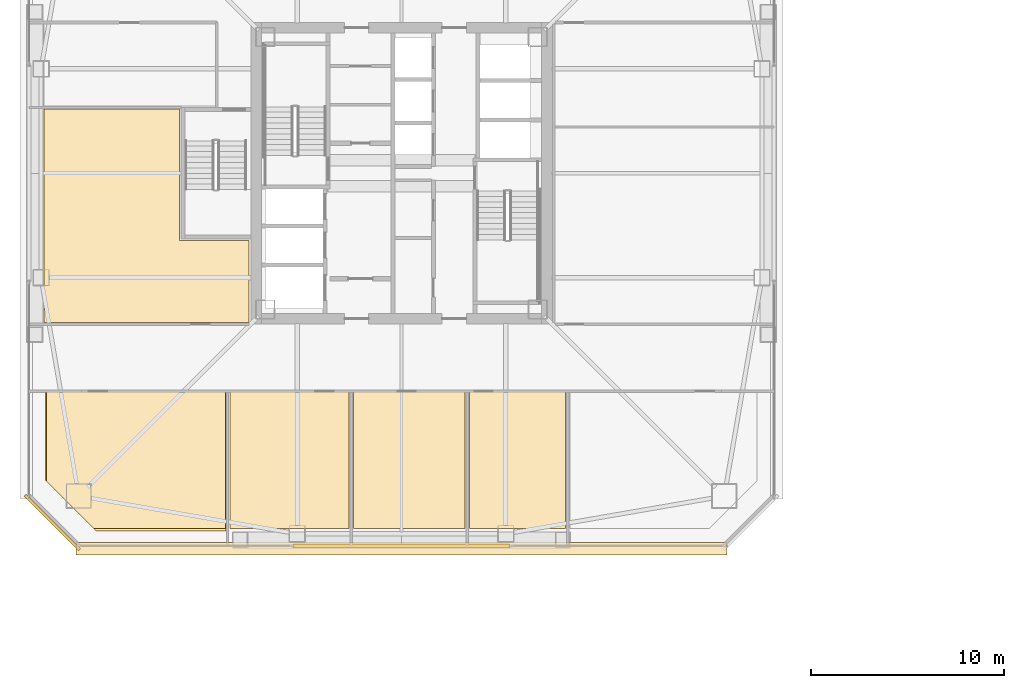
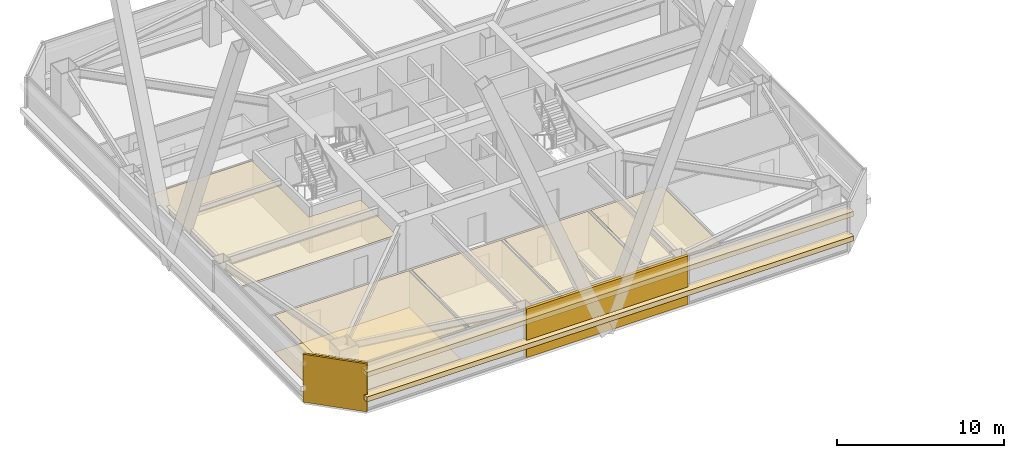
# One storey, part 45 of 50: 10 coverings.
"""IFC4 building model written with IfcOpenShell, lengths in metres."""

from ifc_helpers import new_model, si_unit, direction, frame, origin, origin_2d, place, context, subcontext, project, spatial, polyline, rectangle, outline, extrude, material, layer, layer_set, type_object, element, save


model = new_model("IFC4")

# Units and contexts
model_context = context("Model", 3, precision=1e-05, world=origin(), true_north=direction((0.0, 1.0)))
body_context = subcontext(model_context, "Body", "Model", "MODEL_VIEW")
ifc_project = project(units=[si_unit("LENGTHUNIT", "METRE"), si_unit("AREAUNIT", "SQUARE_METRE"), si_unit("VOLUMEUNIT", "CUBIC_METRE"), si_unit("PLANEANGLEUNIT", "RADIAN"), si_unit("MASSUNIT", "GRAM", prefix="KILO")], contexts=[model_context])

# Site, building, storey
site_placement = place(None, origin())
site = spatial("IfcSite", under=ifc_project, at=site_placement, CompositionType="ELEMENT")
building_placement = place(site_placement, origin())
building = spatial("IfcBuilding", under=site, at=building_placement, Name="Tashvorn Skyway Center", CompositionType="ELEMENT")
storey_placement = place(building_placement, frame((0.0, 0.0, 114.39990234375)))
storey = spatial("IfcBuildingStorey", under=building, at=storey_placement, Name="L30", CompositionType="ELEMENT", Elevation=114.39990234375)

# Coverings
ifc_material_1 = material(Name="Precast concrete C40/50", Category="concrete")
ifc_layer_1 = layer(ifc_material_1, 0.199951171875)
ifc_layer_set_1 = layer_set([ifc_layer_1], Name="Precast concrete C40/50")
covering_type_1 = type_object("IfcCoveringType", Name="COV-BRACE-CLAD", PredefinedType="CLADDING", material=ifc_layer_set_1)
covering_1_placement = place(storey_placement, frame((42.0, 12.719970703125, 0.0), z_axis=(0.0, 0.0, 1.0), x_axis=(-1.0, 0.0, 0.0)))
element("IfcCovering", 1, at=covering_1_placement, inside=storey, type_object=covering_type_1, Name="Tower 1 L30 South Unitised Curtain Wall Mega-Brace Cladding Band 1", PredefinedType="CLADDING", context=body_context, shape_type="SweptSolid", body=[
    extrude(rectangle(XDim=11.1865234375, YDim=0.199951171875, at=origin_2d()), origin(), (0.0, 0.0, 1.0), 3.550048828125),
])
ifc_material_2 = material(Name="Mineral-fibre acoustic ceiling tile on suspended grid")
ifc_layer_2 = layer(ifc_material_2, 0.02001953125)
ifc_layer_set_2 = layer_set([ifc_layer_2], Name="Mineral-fibre acoustic ceiling tile on suspended grid")
covering_type_2 = type_object("IfcCoveringType", Name="COV-CEIL-20", PredefinedType="CEILING", material=ifc_layer_set_2)
covering_2_placement = place(storey_placement, frame((0.0, 0.0, 2.703125)))
element("IfcCovering", 2, at=covering_2_placement, inside=storey, type_object=covering_type_2, Name="Tower 1 L30 Executive Study Lounge Acoustic Ceiling", PredefinedType="CEILING", context=body_context, shape_type="SweptSolid", body=[
    extrude(outline(polyline([(23.6201171875, 20.68994140625), (32.8798828125, 20.68994140625), (32.8798828125, 13.6201171875), (26.080078125, 13.6201171875), (23.6201171875, 16.080078125), (23.6201171875, 20.68994140625)])), origin(), (0.0, 0.0, 1.0), 0.02001953125),
])
covering_3_placement = place(storey_placement, frame((0.0, 0.0, 2.703125)))
element("IfcCovering", 3, at=covering_3_placement, inside=storey, type_object=covering_type_2, Name="Tower 1 L30 Design Studio Acoustic Ceiling", PredefinedType="CEILING", context=body_context, shape_type="SweptSolid", body=[
    extrude(outline(polyline([(33.1201171875, 20.68994140625), (39.280029296875, 20.68994140625), (39.280029296875, 13.6201171875), (33.1201171875, 13.6201171875), (33.1201171875, 20.68994140625)])), origin(), (0.0, 0.0, 1.0), 0.02001953125),
])
covering_4_placement = place(storey_placement, frame((0.0, 0.0, 2.703125)))
element("IfcCovering", 4, at=covering_4_placement, inside=storey, type_object=covering_type_2, Name="Tower 1 L30 Design Studio Acoustic Ceiling", PredefinedType="CEILING", context=body_context, shape_type="SweptSolid", body=[
    extrude(outline(polyline([(39.52001953125, 20.68994140625), (45.280029296875, 20.68994140625), (45.280029296875, 13.6201171875), (39.52001953125, 13.6201171875), (39.52001953125, 20.68994140625)])), origin(), (0.0, 0.0, 1.0), 0.02001953125),
])
covering_5_placement = place(storey_placement, frame((0.0, 0.0, 2.703125)))
element("IfcCovering", 5, at=covering_5_placement, inside=storey, type_object=covering_type_2, Name="Tower 1 L30 Reading Lounge Acoustic Ceiling", PredefinedType="CEILING", context=body_context, shape_type="SweptSolid", body=[
    extrude(outline(polyline([(45.52001953125, 20.68994140625), (50.47998046875, 20.68994140625), (50.47998046875, 13.6201171875), (45.52001953125, 13.6201171875), (45.52001953125, 20.68994140625)])), origin(), (0.0, 0.0, 1.0), 0.02001953125),
])
covering_6_placement = place(storey_placement, frame((0.0, 0.0, 2.703125)))
element("IfcCovering", 6, at=covering_6_placement, inside=storey, type_object=covering_type_2, Name="Tower 1 L30 Public Restroom Acoustic Ceiling", PredefinedType="CEILING", context=body_context, shape_type="SweptSolid", body=[
    extrude(outline(polyline([(34.1201171875, 24.280029296875), (23.5, 24.280029296875), (23.5, 28.52001953125), (23.5, 35.320068359375), (30.52001953125, 35.320068359375), (30.52001953125, 28.52001953125), (34.1201171875, 28.52001953125), (34.1201171875, 24.280029296875)])), origin(), (0.0, 0.0, 1.0), 0.02001953125),
])
ifc_material_3 = material(Name="Polished Mojave desert-aggregate terrazzo and cover plate")
ifc_layer_3 = layer(ifc_material_3, 0.0400390625)
ifc_layer_set_3 = layer_set([ifc_layer_3], Name="Polished Mojave desert-aggregate terrazzo and cover plate")
covering_type_3 = type_object("IfcCoveringType", Name="COV-FLR-40", PredefinedType="FLOORING", material=ifc_layer_set_3)
covering_7_placement = place(storey_placement, origin())
element("IfcCovering", 7, at=covering_7_placement, inside=storey, type_object=covering_type_3, Name="Tower 1 L30 Executive Study Lounge Finish Flooring", PredefinedType="FLOORING", context=body_context, shape_type="SweptSolid", body=[
    extrude(outline(polyline([(26.199951171875, 13.5), (23.580078125, 16.1201171875), (23.580078125, 20.64990234375), (32.919921875, 20.64990234375), (32.919921875, 13.5), (26.199951171875, 13.5)])), origin(), (0.0, 0.0, 1.0), 0.0400390625),
])
ifc_material_4 = material(Name="Perforated ceramic-coated bronze aluminium solar screen", Category="aluminium")
ifc_layer_4 = layer(ifc_material_4, 0.85009765625)
ifc_layer_set_4 = layer_set([ifc_layer_4], Name="Perforated ceramic-coated bronze aluminium solar screen")
covering_type_4 = type_object("IfcCoveringType", Name="COV-SOLAR-BAND", PredefinedType="CLADDING", material=ifc_layer_set_4)
for number, where, z_axis, x_axis, name in (
    (8, (42.0, 12.580078125, 0.919921875), (0.0, 0.0, 1.0), (-1.0, 0.0, 0.0), "L30 Perforated Ceramic-Metal Solar Screen Louvre Band South 1"),
    (9, (42.0, 12.580078125, 2.72021484375), (0.0, 0.0, 1.0), (-1.0, 0.0, 0.0), "L30 Perforated Ceramic-Metal Solar Screen Louvre Band South 2"),
):
    element("IfcCovering", number, at=place(storey_placement, frame(where, z_axis=z_axis, x_axis=x_axis)), inside=storey, type_object=covering_type_4, Name=name, PredefinedType="CLADDING", context=body_context, shape_type="SweptSolid", body=[
        extrude(rectangle(XDim=33.679931640625, YDim=0.639892578125, at=origin_2d()), origin(), (0.0, 0.0, 1.0), 0.360107421875),
    ])
ifc_layer_5 = layer(ifc_material_1, 0.35009765625)
ifc_layer_set_5 = layer_set([ifc_layer_5], Name="Precast concrete C40/50")
covering_type_5 = type_object("IfcCoveringType", Name="COV-STONE-TRIM", PredefinedType="CLADDING", material=ifc_layer_set_5)
covering_8_placement = place(storey_placement, frame((23.929931640625, 13.929931640625, 0.02001953125), z_axis=(0.0, 0.0, 1.0), x_axis=(-0.707106781187, 0.707106781187, 0.0)))
element("IfcCovering", 10, at=covering_8_placement, inside=storey, type_object=covering_type_5, Name="Tower 1 L30 SW Mojave Limestone Corner Quoin", PredefinedType="CLADDING", context=body_context, shape_type="SweptSolid", body=[
    extrude(rectangle(XDim=3.978515625, YDim=0.139892578125, at=origin_2d()), origin(), (0.0, 0.0, 1.0), 3.510009765625),
])

save(model, "model.ifc")
